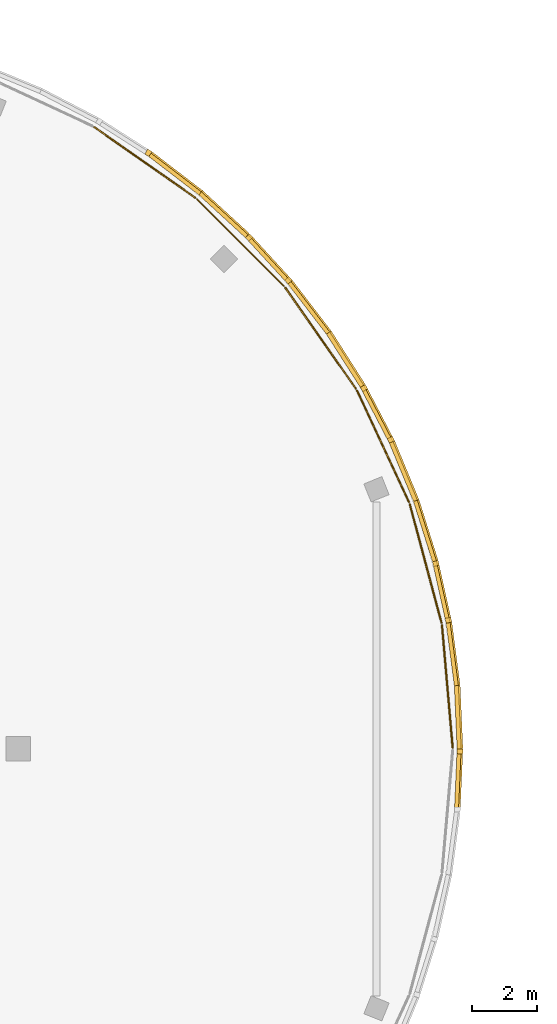
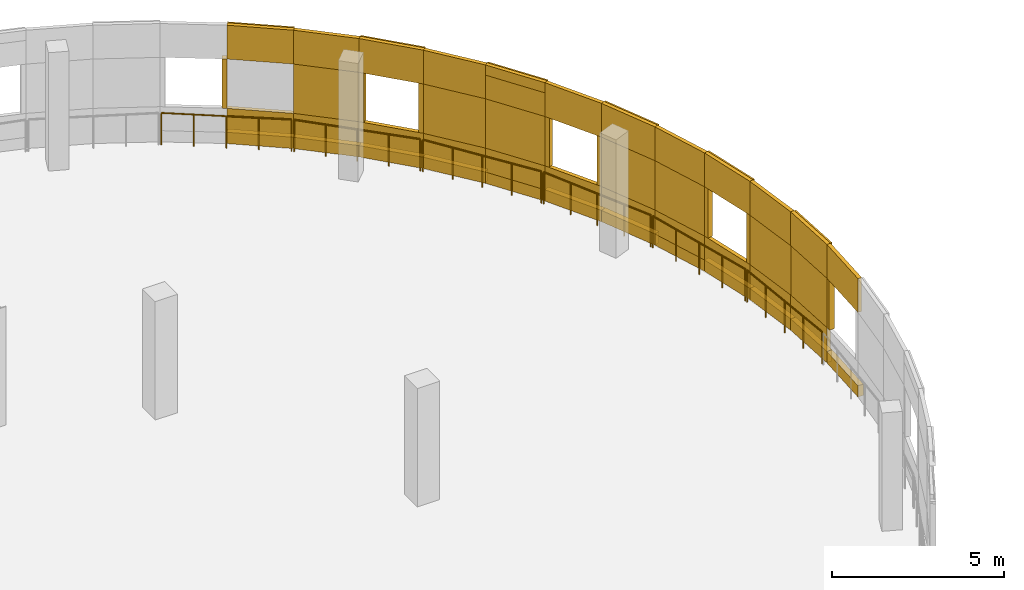
# One storey, part 87 of 88: 56 coverings, 6 railings.
"""IFC4 building model written with IfcOpenShell, lengths in metres."""

from ifc_helpers import new_model, si_unit, direction, frame, origin, origin_2d, place, context, subcontext, project, spatial, rectangle, circle, extrude, material, layer, layer_set, type_object, element, save


model = new_model("IFC4")

# Units and contexts
model_context = context("Model", 3, precision=1e-05, world=origin(), true_north=direction((0.0, 1.0)))
body_context = subcontext(model_context, "Body", "Model", "MODEL_VIEW")
ifc_project = project(units=[si_unit("LENGTHUNIT", "METRE"), si_unit("AREAUNIT", "SQUARE_METRE"), si_unit("VOLUMEUNIT", "CUBIC_METRE"), si_unit("PLANEANGLEUNIT", "RADIAN"), si_unit("MASSUNIT", "GRAM", prefix="KILO")], contexts=[model_context])

# Site, building, storey
site_placement = place(None, origin())
site = spatial("IfcSite", under=ifc_project, at=site_placement, CompositionType="ELEMENT")
building_placement = place(site_placement, origin())
building = spatial("IfcBuilding", under=site, at=building_placement, Name="Deido Ridge Mobility Hub", CompositionType="ELEMENT")
storey_placement = place(building_placement, frame((0.0, 0.0, 16.800048828125)))
storey = spatial("IfcBuildingStorey", under=building, at=storey_placement, Name="L04", CompositionType="ELEMENT", Elevation=16.800048828125)

# Coverings
ifc_material_1 = material(Name="Fired clay brick masonry", Category="masonry")
ifc_layer = layer(ifc_material_1, 0.114990234375, Name="Fired clay brick masonry")
ifc_layer_set = layer_set([ifc_layer], Name="Fired clay brick masonry")
covering_type = type_object("IfcCoveringType", Name="COV-BRK-SCREEN-115", PredefinedType="CLADDING", material=ifc_layer_set)
covering_1_placement = place(storey_placement, frame((139.432373046875, 102.5205078125, 0.0), z_axis=(0.0, 0.0, 1.0), x_axis=(0.043601950678, 0.999048982732, 0.0)))
element("IfcCovering", 1, at=covering_1_placement, inside=storey, type_object=covering_type, Name="Raised brick relief belt BKS1 (L04)", PredefinedType="CLADDING", context=body_context, shape_type="SweptSolid", body=[
    extrude(rectangle(XDim=1.9619140625, YDim=0.179931640625, at=origin_2d()), origin(), (0.0, 0.0, 1.0), 0.39990234375),
])
covering_2_placement = place(storey_placement, frame((139.40478515625, 102.521728515625, 3.0), z_axis=(0.0, 0.0, 1.0), x_axis=(0.043601950678, 0.999048982732, 0.0)))
element("IfcCovering", 2, at=covering_2_placement, inside=storey, type_object=covering_type, Name="Open brickwork lintel course BKS1 (L04)", PredefinedType="CLADDING", context=body_context, shape_type="SweptSolid", body=[
    extrude(rectangle(XDim=1.9619140625, YDim=0.125, at=origin_2d()), origin(), (0.0, 0.0, 1.0), 1.199951171875),
])
covering_3_placement = place(storey_placement, frame((139.4716796875, 103.4208984375, 1.25), z_axis=(0.0, 0.0, 1.0), x_axis=(0.043601950678, 0.999048982732, 0.0)))
element("IfcCovering", 3, at=covering_3_placement, inside=storey, type_object=covering_type, Name="Curved brick jamb nib BKS1 (L04)", PredefinedType="CLADDING", context=body_context, shape_type="SweptSolid", body=[
    extrude(rectangle(XDim=0.152099609375, YDim=0.179931640625, at=origin_2d()), origin(), (0.0, 0.0, 1.0), 1.75),
])
covering_4_placement = place(storey_placement, frame((139.40478515625, 104.478271484375, 0.0), z_axis=(0.0, 0.0, 1.0), x_axis=(-0.043601950678, 0.999048982732, 0.0)))
element("IfcCovering", 4, at=covering_4_placement, inside=storey, type_object=covering_type, Name="Open brickwork spandrel course BKS1 (L04)", PredefinedType="CLADDING", context=body_context, shape_type="SweptSolid", body=[
    extrude(rectangle(XDim=1.9619140625, YDim=0.125, at=origin_2d()), origin(), (0.0, 0.0, 1.0), 1.25),
])
covering_5_placement = place(storey_placement, frame((139.432373046875, 104.4794921875, 0.0), z_axis=(0.0, 0.0, 1.0), x_axis=(-0.043601950678, 0.999048982732, 0.0)))
element("IfcCovering", 5, at=covering_5_placement, inside=storey, type_object=covering_type, Name="Raised brick relief belt BKS1 (L04)", PredefinedType="CLADDING", context=body_context, shape_type="SweptSolid", body=[
    extrude(rectangle(XDim=1.9619140625, YDim=0.179931640625, at=origin_2d()), origin(), (0.0, 0.0, 1.0), 0.39990234375),
])
covering_6_placement = place(storey_placement, frame((139.40478515625, 104.478271484375, 3.0), z_axis=(0.0, 0.0, 1.0), x_axis=(-0.043601950678, 0.999048982732, 0.0)))
element("IfcCovering", 6, at=covering_6_placement, inside=storey, type_object=covering_type, Name="Open brickwork lintel course BKS1 (L04)", PredefinedType="CLADDING", context=body_context, shape_type="SweptSolid", body=[
    extrude(rectangle(XDim=1.9619140625, YDim=0.125, at=origin_2d()), origin(), (0.0, 0.0, 1.0), 1.199951171875),
])
covering_7_placement = place(storey_placement, frame((139.432373046875, 104.4794921875, 3.83984375), z_axis=(0.0, 0.0, 1.0), x_axis=(-0.043601950678, 0.999048982732, 0.0)))
element("IfcCovering", 7, at=covering_7_placement, inside=storey, type_object=covering_type, Name="Raised brick relief cornice BKS1 (L04)", PredefinedType="CLADDING", context=body_context, shape_type="SweptSolid", body=[
    extrude(rectangle(XDim=1.9619140625, YDim=0.179931640625, at=origin_2d()), origin(), (0.0, 0.0, 1.0), 0.360107421875),
])
covering_8_placement = place(storey_placement, frame((139.432373046875, 104.4794921875, 1.25), z_axis=(0.0, 0.0, 1.0), x_axis=(-0.043601950678, 0.999048982732, 0.0)))
element("IfcCovering", 8, at=covering_8_placement, inside=storey, type_object=covering_type, Name="Curved raised brickwork pier BKS1 (L04)", PredefinedType="CLADDING", context=body_context, shape_type="SweptSolid", body=[
    extrude(rectangle(XDim=1.9619140625, YDim=0.179931640625, at=origin_2d()), origin(), (0.0, 0.0, 1.0), 1.75),
])
covering_9_placement = place(storey_placement, frame((139.234375, 106.42724609375, 0.0), z_axis=(0.0, 0.0, 1.0), x_axis=(-0.130543496177, 0.991442583111, 0.0)))
element("IfcCovering", 9, at=covering_9_placement, inside=storey, type_object=covering_type, Name="Open brickwork spandrel course BKS1 (L04)", PredefinedType="CLADDING", context=body_context, shape_type="SweptSolid", body=[
    extrude(rectangle(XDim=1.9619140625, YDim=0.125, at=origin_2d()), origin(), (0.0, 0.0, 1.0), 1.25),
])
covering_10_placement = place(storey_placement, frame((139.26171875, 106.430908203125, 0.0), z_axis=(0.0, 0.0, 1.0), x_axis=(-0.130543496177, 0.991442583111, 0.0)))
element("IfcCovering", 10, at=covering_10_placement, inside=storey, type_object=covering_type, Name="Raised brick relief belt BKS1 (L04)", PredefinedType="CLADDING", context=body_context, shape_type="SweptSolid", body=[
    extrude(rectangle(XDim=1.9619140625, YDim=0.179931640625, at=origin_2d()), origin(), (0.0, 0.0, 1.0), 0.39990234375),
])
covering_11_placement = place(storey_placement, frame((139.234375, 106.42724609375, 3.0), z_axis=(0.0, 0.0, 1.0), x_axis=(-0.130543496177, 0.991442583111, 0.0)))
element("IfcCovering", 11, at=covering_11_placement, inside=storey, type_object=covering_type, Name="Open brickwork lintel course BKS1 (L04)", PredefinedType="CLADDING", context=body_context, shape_type="SweptSolid", body=[
    extrude(rectangle(XDim=1.9619140625, YDim=0.125, at=origin_2d()), origin(), (0.0, 0.0, 1.0), 1.199951171875),
])
covering_12_placement = place(storey_placement, frame((139.234375, 106.42724609375, 1.25), z_axis=(0.0, 0.0, 1.0), x_axis=(-0.130543496177, 0.991442583111, 0.0)))
element("IfcCovering", 12, at=covering_12_placement, inside=storey, type_object=covering_type, Name="Curved raised brickwork pier BKS1 (L04)", PredefinedType="CLADDING", context=body_context, shape_type="SweptSolid", body=[
    extrude(rectangle(XDim=1.9619140625, YDim=0.125, at=origin_2d()), origin(), (0.0, 0.0, 1.0), 1.75),
])
covering_13_placement = place(storey_placement, frame((138.89453125, 108.35400390625, 0.0), z_axis=(0.0, 0.0, 1.0), x_axis=(-0.216456653485, 0.976292229387, 0.0)))
element("IfcCovering", 13, at=covering_13_placement, inside=storey, type_object=covering_type, Name="Open brickwork spandrel course BKS1 (L04)", PredefinedType="CLADDING", context=body_context, shape_type="SweptSolid", body=[
    extrude(rectangle(XDim=1.9619140625, YDim=0.125, at=origin_2d()), origin(), (0.0, 0.0, 1.0), 1.25),
])
covering_14_placement = place(storey_placement, frame((138.92138671875, 108.35986328125, 0.0), z_axis=(0.0, 0.0, 1.0), x_axis=(-0.216456653485, 0.976292229387, 0.0)))
element("IfcCovering", 14, at=covering_14_placement, inside=storey, type_object=covering_type, Name="Raised brick relief belt BKS1 (L04)", PredefinedType="CLADDING", context=body_context, shape_type="SweptSolid", body=[
    extrude(rectangle(XDim=1.9619140625, YDim=0.179931640625, at=origin_2d()), origin(), (0.0, 0.0, 1.0), 0.39990234375),
])
covering_15_placement = place(storey_placement, frame((138.89453125, 108.35400390625, 3.0), z_axis=(0.0, 0.0, 1.0), x_axis=(-0.216456653485, 0.976292229387, 0.0)))
element("IfcCovering", 15, at=covering_15_placement, inside=storey, type_object=covering_type, Name="Open brickwork lintel course BKS1 (L04)", PredefinedType="CLADDING", context=body_context, shape_type="SweptSolid", body=[
    extrude(rectangle(XDim=1.9619140625, YDim=0.125, at=origin_2d()), origin(), (0.0, 0.0, 1.0), 1.199951171875),
])
covering_16_placement = place(storey_placement, frame((138.92138671875, 108.35986328125, 3.83984375), z_axis=(0.0, 0.0, 1.0), x_axis=(-0.216456653485, 0.976292229387, 0.0)))
element("IfcCovering", 16, at=covering_16_placement, inside=storey, type_object=covering_type, Name="Raised brick relief cornice BKS1 (L04)", PredefinedType="CLADDING", context=body_context, shape_type="SweptSolid", body=[
    extrude(rectangle(XDim=1.9619140625, YDim=0.179931640625, at=origin_2d()), origin(), (0.0, 0.0, 1.0), 0.360107421875),
])
for number, where, z_axis, x_axis, name in (
    (17, (139.116455078125, 107.480224609375, 1.25), (0.0, 0.0, 1.0), (-0.216456653485, 0.976292229387, 0.0), "Curved brick jamb nib BKS1 (L04)"),
    (18, (138.726318359375, 109.239501953125, 1.25), (0.0, 0.0, 1.0), (-0.216456653485, 0.976292229387, 0.0), "Curved brick jamb nib BKS1 (L04)"),
):
    element("IfcCovering", number, at=place(storey_placement, frame(where, z_axis=z_axis, x_axis=x_axis)), inside=storey, type_object=covering_type, Name=name, PredefinedType="CLADDING", context=body_context, shape_type="SweptSolid", body=[
        extrude(rectangle(XDim=0.152099609375, YDim=0.179931640625, at=origin_2d()), origin(), (0.0, 0.0, 1.0), 1.75),
    ])
covering_17_placement = place(storey_placement, frame((138.38818359375, 110.24365234375, 0.0), z_axis=(0.0, 0.0, 1.0), x_axis=(-0.300672508319, 0.95372744678, 0.0)))
element("IfcCovering", 19, at=covering_17_placement, inside=storey, type_object=covering_type, Name="Open brickwork spandrel course BKS1 (L04)", PredefinedType="CLADDING", context=body_context, shape_type="SweptSolid", body=[
    extrude(rectangle(XDim=1.9619140625, YDim=0.125, at=origin_2d()), origin(), (0.0, 0.0, 1.0), 1.25),
])
covering_18_placement = place(storey_placement, frame((138.414306640625, 110.251953125, 0.0), z_axis=(0.0, 0.0, 1.0), x_axis=(-0.300672508319, 0.95372744678, 0.0)))
element("IfcCovering", 20, at=covering_18_placement, inside=storey, type_object=covering_type, Name="Raised brick relief belt BKS1 (L04)", PredefinedType="CLADDING", context=body_context, shape_type="SweptSolid", body=[
    extrude(rectangle(XDim=1.9619140625, YDim=0.179931640625, at=origin_2d()), origin(), (0.0, 0.0, 1.0), 0.39990234375),
])
covering_19_placement = place(storey_placement, frame((138.38818359375, 110.24365234375, 3.0), z_axis=(0.0, 0.0, 1.0), x_axis=(-0.300672508319, 0.95372744678, 0.0)))
element("IfcCovering", 21, at=covering_19_placement, inside=storey, type_object=covering_type, Name="Open brickwork lintel course BKS1 (L04)", PredefinedType="CLADDING", context=body_context, shape_type="SweptSolid", body=[
    extrude(rectangle(XDim=1.9619140625, YDim=0.125, at=origin_2d()), origin(), (0.0, 0.0, 1.0), 1.199951171875),
])
covering_20_placement = place(storey_placement, frame((138.38818359375, 110.24365234375, 1.25), z_axis=(0.0, 0.0, 1.0), x_axis=(-0.300672508319, 0.95372744678, 0.0)))
element("IfcCovering", 22, at=covering_20_placement, inside=storey, type_object=covering_type, Name="Curved raised brickwork pier BKS1 (L04)", PredefinedType="CLADDING", context=body_context, shape_type="SweptSolid", body=[
    extrude(rectangle(XDim=1.9619140625, YDim=0.125, at=origin_2d()), origin(), (0.0, 0.0, 1.0), 1.75),
])
covering_21_placement = place(storey_placement, frame((137.718994140625, 112.08203125, 0.0), z_axis=(0.0, 0.0, 1.0), x_axis=(-0.382699557047, 0.923872853285, 0.0)))
element("IfcCovering", 23, at=covering_21_placement, inside=storey, type_object=covering_type, Name="Open brickwork spandrel course BKS1 (L04)", PredefinedType="CLADDING", context=body_context, shape_type="SweptSolid", body=[
    extrude(rectangle(XDim=1.9619140625, YDim=0.125, at=origin_2d()), origin(), (0.0, 0.0, 1.0), 1.25),
])
covering_22_placement = place(storey_placement, frame((137.744384765625, 112.0927734375, 0.0), z_axis=(0.0, 0.0, 1.0), x_axis=(-0.382699557047, 0.923872853285, 0.0)))
element("IfcCovering", 24, at=covering_22_placement, inside=storey, type_object=covering_type, Name="Raised brick relief belt BKS1 (L04)", PredefinedType="CLADDING", context=body_context, shape_type="SweptSolid", body=[
    extrude(rectangle(XDim=1.9619140625, YDim=0.179931640625, at=origin_2d()), origin(), (0.0, 0.0, 1.0), 0.39990234375),
])
covering_23_placement = place(storey_placement, frame((137.718994140625, 112.08203125, 3.0), z_axis=(0.0, 0.0, 1.0), x_axis=(-0.382699557047, 0.923872853285, 0.0)))
element("IfcCovering", 25, at=covering_23_placement, inside=storey, type_object=covering_type, Name="Open brickwork lintel course BKS1 (L04)", PredefinedType="CLADDING", context=body_context, shape_type="SweptSolid", body=[
    extrude(rectangle(XDim=1.9619140625, YDim=0.125, at=origin_2d()), origin(), (0.0, 0.0, 1.0), 1.199951171875),
])
covering_24_placement = place(storey_placement, frame((137.744384765625, 112.0927734375, 3.83984375), z_axis=(0.0, 0.0, 1.0), x_axis=(-0.382699557047, 0.923872853285, 0.0)))
element("IfcCovering", 26, at=covering_24_placement, inside=storey, type_object=covering_type, Name="Raised brick relief cornice BKS1 (L04)", PredefinedType="CLADDING", context=body_context, shape_type="SweptSolid", body=[
    extrude(rectangle(XDim=1.9619140625, YDim=0.179931640625, at=origin_2d()), origin(), (0.0, 0.0, 1.0), 0.360107421875),
])
covering_25_placement = place(storey_placement, frame((137.744384765625, 112.0927734375, 1.25), z_axis=(0.0, 0.0, 1.0), x_axis=(-0.382699557047, 0.923872853285, 0.0)))
element("IfcCovering", 27, at=covering_25_placement, inside=storey, type_object=covering_type, Name="Curved raised brickwork pier BKS1 (L04)", PredefinedType="CLADDING", context=body_context, shape_type="SweptSolid", body=[
    extrude(rectangle(XDim=1.9619140625, YDim=0.179931640625, at=origin_2d()), origin(), (0.0, 0.0, 1.0), 1.75),
])
covering_26_placement = place(storey_placement, frame((136.892333984375, 113.855224609375, 0.0), z_axis=(0.0, 0.0, 1.0), x_axis=(-0.461733131905, 0.887018892077, 0.0)))
element("IfcCovering", 28, at=covering_26_placement, inside=storey, type_object=covering_type, Name="Open brickwork spandrel course BKS1 (L04)", PredefinedType="CLADDING", context=body_context, shape_type="SweptSolid", body=[
    extrude(rectangle(XDim=1.9619140625, YDim=0.125, at=origin_2d()), origin(), (0.0, 0.0, 1.0), 1.25),
])
covering_27_placement = place(storey_placement, frame((136.916748046875, 113.867919921875, 0.0), z_axis=(0.0, 0.0, 1.0), x_axis=(-0.461733131905, 0.887018892077, 0.0)))
element("IfcCovering", 29, at=covering_27_placement, inside=storey, type_object=covering_type, Name="Raised brick relief belt BKS1 (L04)", PredefinedType="CLADDING", context=body_context, shape_type="SweptSolid", body=[
    extrude(rectangle(XDim=1.9619140625, YDim=0.179931640625, at=origin_2d()), origin(), (0.0, 0.0, 1.0), 0.39990234375),
])
covering_28_placement = place(storey_placement, frame((136.892333984375, 113.855224609375, 3.0), z_axis=(0.0, 0.0, 1.0), x_axis=(-0.461733131905, 0.887018892077, 0.0)))
element("IfcCovering", 30, at=covering_28_placement, inside=storey, type_object=covering_type, Name="Open brickwork lintel course BKS1 (L04)", PredefinedType="CLADDING", context=body_context, shape_type="SweptSolid", body=[
    extrude(rectangle(XDim=1.9619140625, YDim=0.125, at=origin_2d()), origin(), (0.0, 0.0, 1.0), 1.199951171875),
])
for number, where, z_axis, x_axis, name in (
    (31, (137.332763671875, 113.068603515625, 1.25), (0.0, 0.0, 1.0), (-0.461733131905, 0.887018892077, 0.0), "Curved brick jamb nib BKS1 (L04)"),
    (32, (136.50048828125, 114.667236328125, 1.25), (0.0, 0.0, 1.0), (-0.461733131905, 0.887018892077, 0.0), "Curved brick jamb nib BKS1 (L04)"),
):
    element("IfcCovering", number, at=place(storey_placement, frame(where, z_axis=z_axis, x_axis=x_axis)), inside=storey, type_object=covering_type, Name=name, PredefinedType="CLADDING", context=body_context, shape_type="SweptSolid", body=[
        extrude(rectangle(XDim=0.152099609375, YDim=0.179931640625, at=origin_2d()), origin(), (0.0, 0.0, 1.0), 1.75),
    ])
covering_29_placement = place(storey_placement, frame((135.9140625, 115.549560546875, 0.0), z_axis=(0.0, 0.0, 1.0), x_axis=(-0.537314328223, 0.843382068037, 0.0)))
element("IfcCovering", 33, at=covering_29_placement, inside=storey, type_object=covering_type, Name="Open brickwork spandrel course BKS1 (L04)", PredefinedType="CLADDING", context=body_context, shape_type="SweptSolid", body=[
    extrude(rectangle(XDim=1.9619140625, YDim=0.125, at=origin_2d()), origin(), (0.0, 0.0, 1.0), 1.25),
])
covering_30_placement = place(storey_placement, frame((135.937255859375, 115.564208984375, 0.0), z_axis=(0.0, 0.0, 1.0), x_axis=(-0.537314328223, 0.843382068037, 0.0)))
element("IfcCovering", 34, at=covering_30_placement, inside=storey, type_object=covering_type, Name="Raised brick relief belt BKS1 (L04)", PredefinedType="CLADDING", context=body_context, shape_type="SweptSolid", body=[
    extrude(rectangle(XDim=1.9619140625, YDim=0.179931640625, at=origin_2d()), origin(), (0.0, 0.0, 1.0), 0.39990234375),
])
covering_31_placement = place(storey_placement, frame((135.9140625, 115.549560546875, 3.0), z_axis=(0.0, 0.0, 1.0), x_axis=(-0.537314328223, 0.843382068037, 0.0)))
element("IfcCovering", 35, at=covering_31_placement, inside=storey, type_object=covering_type, Name="Open brickwork lintel course BKS1 (L04)", PredefinedType="CLADDING", context=body_context, shape_type="SweptSolid", body=[
    extrude(rectangle(XDim=1.9619140625, YDim=0.125, at=origin_2d()), origin(), (0.0, 0.0, 1.0), 1.199951171875),
])
covering_32_placement = place(storey_placement, frame((135.937255859375, 115.564208984375, 3.83984375), z_axis=(0.0, 0.0, 1.0), x_axis=(-0.537314328223, 0.843382068037, 0.0)))
element("IfcCovering", 36, at=covering_32_placement, inside=storey, type_object=covering_type, Name="Raised brick relief cornice BKS1 (L04)", PredefinedType="CLADDING", context=body_context, shape_type="SweptSolid", body=[
    extrude(rectangle(XDim=1.9619140625, YDim=0.179931640625, at=origin_2d()), origin(), (0.0, 0.0, 1.0), 0.360107421875),
])
covering_33_placement = place(storey_placement, frame((135.937255859375, 115.564208984375, 1.25), z_axis=(0.0, 0.0, 1.0), x_axis=(-0.537314328223, 0.843382068037, 0.0)))
element("IfcCovering", 37, at=covering_33_placement, inside=storey, type_object=covering_type, Name="Curved raised brickwork pier BKS1 (L04)", PredefinedType="CLADDING", context=body_context, shape_type="SweptSolid", body=[
    extrude(rectangle(XDim=1.9619140625, YDim=0.179931640625, at=origin_2d()), origin(), (0.0, 0.0, 1.0), 1.75),
])
covering_34_placement = place(storey_placement, frame((134.7919921875, 117.152099609375, 0.0), z_axis=(0.0, 0.0, 1.0), x_axis=(-0.608761429009, 0.793353340291, 0.0)))
element("IfcCovering", 38, at=covering_34_placement, inside=storey, type_object=covering_type, Name="Open brickwork spandrel course BKS1 (L04)", PredefinedType="CLADDING", context=body_context, shape_type="SweptSolid", body=[
    extrude(rectangle(XDim=1.9619140625, YDim=0.125, at=origin_2d()), origin(), (0.0, 0.0, 1.0), 1.25),
])
covering_35_placement = place(storey_placement, frame((134.813720703125, 117.1689453125, 0.0), z_axis=(0.0, 0.0, 1.0), x_axis=(-0.608761429009, 0.793353340291, 0.0)))
element("IfcCovering", 39, at=covering_35_placement, inside=storey, type_object=covering_type, Name="Raised brick relief belt BKS1 (L04)", PredefinedType="CLADDING", context=body_context, shape_type="SweptSolid", body=[
    extrude(rectangle(XDim=1.9619140625, YDim=0.179931640625, at=origin_2d()), origin(), (0.0, 0.0, 1.0), 0.39990234375),
])
covering_36_placement = place(storey_placement, frame((134.7919921875, 117.152099609375, 3.0), z_axis=(0.0, 0.0, 1.0), x_axis=(-0.608761429009, 0.793353340291, 0.0)))
element("IfcCovering", 40, at=covering_36_placement, inside=storey, type_object=covering_type, Name="Open brickwork lintel course BKS1 (L04)", PredefinedType="CLADDING", context=body_context, shape_type="SweptSolid", body=[
    extrude(rectangle(XDim=1.9619140625, YDim=0.125, at=origin_2d()), origin(), (0.0, 0.0, 1.0), 1.199951171875),
])
covering_37_placement = place(storey_placement, frame((134.7919921875, 117.152099609375, 1.25), z_axis=(0.0, 0.0, 1.0), x_axis=(-0.608761429009, 0.793353340291, 0.0)))
element("IfcCovering", 41, at=covering_37_placement, inside=storey, type_object=covering_type, Name="Curved raised brickwork pier BKS1 (L04)", PredefinedType="CLADDING", context=body_context, shape_type="SweptSolid", body=[
    extrude(rectangle(XDim=1.9619140625, YDim=0.125, at=origin_2d()), origin(), (0.0, 0.0, 1.0), 1.75),
])
covering_38_placement = place(storey_placement, frame((133.5341796875, 118.65087890625, 0.0), z_axis=(0.0, 0.0, 1.0), x_axis=(-0.675577339596, 0.737289127971, 0.0)))
element("IfcCovering", 42, at=covering_38_placement, inside=storey, type_object=covering_type, Name="Open brickwork spandrel course BKS1 (L04)", PredefinedType="CLADDING", context=body_context, shape_type="SweptSolid", body=[
    extrude(rectangle(XDim=1.9619140625, YDim=0.125, at=origin_2d()), origin(), (0.0, 0.0, 1.0), 1.25),
])
covering_39_placement = place(storey_placement, frame((133.5546875, 118.66943359375, 0.0), z_axis=(0.0, 0.0, 1.0), x_axis=(-0.675577339596, 0.737289127971, 0.0)))
element("IfcCovering", 43, at=covering_39_placement, inside=storey, type_object=covering_type, Name="Raised brick relief belt BKS1 (L04)", PredefinedType="CLADDING", context=body_context, shape_type="SweptSolid", body=[
    extrude(rectangle(XDim=1.9619140625, YDim=0.179931640625, at=origin_2d()), origin(), (0.0, 0.0, 1.0), 0.39990234375),
])
covering_40_placement = place(storey_placement, frame((133.5341796875, 118.65087890625, 3.0), z_axis=(0.0, 0.0, 1.0), x_axis=(-0.675577339596, 0.737289127971, 0.0)))
element("IfcCovering", 44, at=covering_40_placement, inside=storey, type_object=covering_type, Name="Open brickwork lintel course BKS1 (L04)", PredefinedType="CLADDING", context=body_context, shape_type="SweptSolid", body=[
    extrude(rectangle(XDim=1.9619140625, YDim=0.125, at=origin_2d()), origin(), (0.0, 0.0, 1.0), 1.199951171875),
])
covering_41_placement = place(storey_placement, frame((133.5546875, 118.66943359375, 3.83984375), z_axis=(0.0, 0.0, 1.0), x_axis=(-0.675577339596, 0.737289127971, 0.0)))
element("IfcCovering", 45, at=covering_41_placement, inside=storey, type_object=covering_type, Name="Raised brick relief cornice BKS1 (L04)", PredefinedType="CLADDING", context=body_context, shape_type="SweptSolid", body=[
    extrude(rectangle(XDim=1.9619140625, YDim=0.179931640625, at=origin_2d()), origin(), (0.0, 0.0, 1.0), 0.360107421875),
])
for number, where, z_axis, x_axis, name in (
    (46, (134.163330078125, 118.005126953125, 1.25), (0.0, 0.0, 1.0), (-0.675577339596, 0.737289127971, 0.0), "Curved brick jamb nib BKS1 (L04)"),
    (47, (132.94580078125, 119.333740234375, 1.25), (0.0, 0.0, 1.0), (-0.675577339596, 0.737289127971, 0.0), "Curved brick jamb nib BKS1 (L04)"),
):
    element("IfcCovering", number, at=place(storey_placement, frame(where, z_axis=z_axis, x_axis=x_axis)), inside=storey, type_object=covering_type, Name=name, PredefinedType="CLADDING", context=body_context, shape_type="SweptSolid", body=[
        extrude(rectangle(XDim=0.152099609375, YDim=0.179931640625, at=origin_2d()), origin(), (0.0, 0.0, 1.0), 1.75),
    ])
covering_42_placement = place(storey_placement, frame((132.15087890625, 120.0341796875, 0.0), z_axis=(0.0, 0.0, 1.0), x_axis=(-0.737289127971, 0.675577339596, 0.0)))
element("IfcCovering", 48, at=covering_42_placement, inside=storey, type_object=covering_type, Name="Open brickwork spandrel course BKS1 (L04)", PredefinedType="CLADDING", context=body_context, shape_type="SweptSolid", body=[
    extrude(rectangle(XDim=1.9619140625, YDim=0.125, at=origin_2d()), origin(), (0.0, 0.0, 1.0), 1.25),
])
covering_43_placement = place(storey_placement, frame((132.16943359375, 120.0546875, 0.0), z_axis=(0.0, 0.0, 1.0), x_axis=(-0.737289127971, 0.675577339596, 0.0)))
element("IfcCovering", 49, at=covering_43_placement, inside=storey, type_object=covering_type, Name="Raised brick relief belt BKS1 (L04)", PredefinedType="CLADDING", context=body_context, shape_type="SweptSolid", body=[
    extrude(rectangle(XDim=1.9619140625, YDim=0.179931640625, at=origin_2d()), origin(), (0.0, 0.0, 1.0), 0.39990234375),
])
covering_44_placement = place(storey_placement, frame((132.15087890625, 120.0341796875, 3.0), z_axis=(0.0, 0.0, 1.0), x_axis=(-0.737289127971, 0.675577339596, 0.0)))
element("IfcCovering", 50, at=covering_44_placement, inside=storey, type_object=covering_type, Name="Open brickwork lintel course BKS1 (L04)", PredefinedType="CLADDING", context=body_context, shape_type="SweptSolid", body=[
    extrude(rectangle(XDim=1.9619140625, YDim=0.125, at=origin_2d()), origin(), (0.0, 0.0, 1.0), 1.199951171875),
])
covering_45_placement = place(storey_placement, frame((132.15087890625, 120.0341796875, 1.25), z_axis=(0.0, 0.0, 1.0), x_axis=(-0.737289127971, 0.675577339596, 0.0)))
element("IfcCovering", 51, at=covering_45_placement, inside=storey, type_object=covering_type, Name="Curved raised brickwork pier BKS1 (L04)", PredefinedType="CLADDING", context=body_context, shape_type="SweptSolid", body=[
    extrude(rectangle(XDim=1.9619140625, YDim=0.125, at=origin_2d()), origin(), (0.0, 0.0, 1.0), 1.75),
])
covering_46_placement = place(storey_placement, frame((130.652099609375, 121.2919921875, 0.0), z_axis=(0.0, 0.0, 1.0), x_axis=(-0.793353340291, 0.608761429009, 0.0)))
element("IfcCovering", 52, at=covering_46_placement, inside=storey, type_object=covering_type, Name="Open brickwork spandrel course BKS1 (L04)", PredefinedType="CLADDING", context=body_context, shape_type="SweptSolid", body=[
    extrude(rectangle(XDim=1.9619140625, YDim=0.125, at=origin_2d()), origin(), (0.0, 0.0, 1.0), 1.25),
])
covering_47_placement = place(storey_placement, frame((130.6689453125, 121.313720703125, 0.0), z_axis=(0.0, 0.0, 1.0), x_axis=(-0.793353340291, 0.608761429009, 0.0)))
element("IfcCovering", 53, at=covering_47_placement, inside=storey, type_object=covering_type, Name="Raised brick relief belt BKS1 (L04)", PredefinedType="CLADDING", context=body_context, shape_type="SweptSolid", body=[
    extrude(rectangle(XDim=1.9619140625, YDim=0.179931640625, at=origin_2d()), origin(), (0.0, 0.0, 1.0), 0.39990234375),
])
covering_48_placement = place(storey_placement, frame((130.652099609375, 121.2919921875, 3.0), z_axis=(0.0, 0.0, 1.0), x_axis=(-0.793353340291, 0.608761429009, 0.0)))
element("IfcCovering", 54, at=covering_48_placement, inside=storey, type_object=covering_type, Name="Open brickwork lintel course BKS1 (L04)", PredefinedType="CLADDING", context=body_context, shape_type="SweptSolid", body=[
    extrude(rectangle(XDim=1.9619140625, YDim=0.125, at=origin_2d()), origin(), (0.0, 0.0, 1.0), 1.199951171875),
])
covering_49_placement = place(storey_placement, frame((130.6689453125, 121.313720703125, 3.83984375), z_axis=(0.0, 0.0, 1.0), x_axis=(-0.793353340291, 0.608761429009, 0.0)))
element("IfcCovering", 55, at=covering_49_placement, inside=storey, type_object=covering_type, Name="Raised brick relief cornice BKS1 (L04)", PredefinedType="CLADDING", context=body_context, shape_type="SweptSolid", body=[
    extrude(rectangle(XDim=1.9619140625, YDim=0.179931640625, at=origin_2d()), origin(), (0.0, 0.0, 1.0), 0.360107421875),
])
covering_50_placement = place(storey_placement, frame((129.82421875, 121.953125, 1.25), z_axis=(0.0, 0.0, 1.0), x_axis=(-0.843382068037, 0.537314328223, 0.0)))
element("IfcCovering", 56, at=covering_50_placement, inside=storey, type_object=covering_type, Name="Curved brick jamb nib BKS1 (L04)", PredefinedType="CLADDING", context=body_context, shape_type="SweptSolid", body=[
    extrude(rectangle(XDim=0.152099609375, YDim=0.179931640625, at=origin_2d()), origin(), (0.0, 0.0, 1.0), 1.75),
])

# Railings
ifc_material_2 = material(Name="Galvanised steel work", Category="steel")
railing_type = type_object("IfcRailingType", Name="RL-GRD-EXT-1150", PredefinedType="GUARDRAIL", material=ifc_material_2)
railing_1_placement = place(storey_placement, frame((139.24658203125, 103.539794921875, 0.0)))
element("IfcRailing", 57, at=railing_1_placement, inside=storey, type_object=railing_type, Name="Parking drum perimeter guard (L04)", PredefinedType="GUARDRAIL", context=body_context, shape_type="SweptSolid", body=[
    extrude(circle(Radius=0.02392578125, at=origin_2d()), frame((0.0, 0.0, 1.1259765625), z_axis=(-0.08715100469, 0.996195112607, 0.0), x_axis=(-0.996195112607, -0.08715100469, 0.0)), (0.0, 0.0, 1.0), 3.798583984375),
    extrude(circle(Radius=0.02099609375, at=origin_2d()), origin(), (0.0, 0.0, 1.0), 1.101806640625),
    extrude(circle(Radius=0.02099609375, at=origin_2d()), frame((-0.082763671875, 0.946044921875, 0.0)), (0.0, 0.0, 1.0), 1.101806640625),
    extrude(circle(Radius=0.02099609375, at=origin_2d()), frame((-0.16552734375, 1.89208984375, 0.0)), (0.0, 0.0, 1.0), 1.101806640625),
    extrude(circle(Radius=0.02099609375, at=origin_2d()), frame((-0.248291015625, 2.838134765625, 0.0)), (0.0, 0.0, 1.0), 1.101806640625),
    extrude(circle(Radius=0.02099609375, at=origin_2d()), frame((-0.3310546875, 3.7841796875, 0.0)), (0.0, 0.0, 1.0), 1.101806640625),
])
railing_2_placement = place(storey_placement, frame((138.901611328125, 107.40234375, 0.0)))
element("IfcRailing", 58, at=railing_2_placement, inside=storey, type_object=railing_type, Name="Parking drum perimeter guard (L04)", PredefinedType="GUARDRAIL", context=body_context, shape_type="SweptSolid", body=[
    extrude(circle(Radius=0.02392578125, at=origin_2d()), frame((0.0, 0.0, 1.1259765625), z_axis=(-0.258774639064, 0.965937723757, 0.0), x_axis=(-0.965937723757, -0.258774639064, 0.0)), (0.0, 0.0, 1.0), 3.79833984375),
    extrude(circle(Radius=0.02099609375, at=origin_2d()), origin(), (0.0, 0.0, 1.0), 1.101806640625),
    extrude(circle(Radius=0.02099609375, at=origin_2d()), frame((-0.24560546875, 0.917236328125, 0.0)), (0.0, 0.0, 1.0), 1.101806640625),
    extrude(circle(Radius=0.02099609375, at=origin_2d()), frame((-0.491455078125, 1.83447265625, 0.0)), (0.0, 0.0, 1.0), 1.101806640625),
    extrude(circle(Radius=0.02099609375, at=origin_2d()), frame((-0.7373046875, 2.751708984375, 0.0)), (0.0, 0.0, 1.0), 1.101806640625),
    extrude(circle(Radius=0.02099609375, at=origin_2d()), frame((-0.98291015625, 3.6689453125, 0.0)), (0.0, 0.0, 1.0), 1.101806640625),
])
railing_3_placement = place(storey_placement, frame((137.891357421875, 111.146240234375, 0.0)))
element("IfcRailing", 59, at=railing_3_placement, inside=storey, type_object=railing_type, Name="Parking drum perimeter guard (L04)", PredefinedType="GUARDRAIL", context=body_context, shape_type="SweptSolid", body=[
    extrude(circle(Radius=0.02392578125, at=origin_2d()), frame((0.0, 0.0, 1.1259765625), z_axis=(-0.422674330627, 0.906281639574, 0.0), x_axis=(-0.906281639574, -0.422674330627, 0.0)), (0.0, 0.0, 1.0), 3.79833984375),
    extrude(circle(Radius=0.02099609375, at=origin_2d()), origin(), (0.0, 0.0, 1.0), 1.101806640625),
    extrude(circle(Radius=0.02099609375, at=origin_2d()), frame((-0.4013671875, 0.860595703125, 0.0)), (0.0, 0.0, 1.0), 1.101806640625),
    extrude(circle(Radius=0.02099609375, at=origin_2d()), frame((-0.802734375, 1.72119140625, 0.0)), (0.0, 0.0, 1.0), 1.101806640625),
    extrude(circle(Radius=0.02099609375, at=origin_2d()), frame((-1.2041015625, 2.581787109375, 0.0)), (0.0, 0.0, 1.0), 1.101806640625),
    extrude(circle(Radius=0.02099609375, at=origin_2d()), frame((-1.60546875, 3.4423828125, 0.0)), (0.0, 0.0, 1.0), 1.101806640625),
])
railing_4_placement = place(storey_placement, frame((136.24609375, 114.65771484375, 0.0)))
element("IfcRailing", 60, at=railing_4_placement, inside=storey, type_object=railing_type, Name="Parking drum perimeter guard (L04)", PredefinedType="GUARDRAIL", context=body_context, shape_type="SweptSolid", body=[
    extrude(circle(Radius=0.02392578125, at=origin_2d()), frame((0.0, 0.0, 1.1259765625), z_axis=(-0.573570179609, 0.819156425271, 0.0), x_axis=(-0.819156425271, -0.573570179609, 0.0)), (0.0, 0.0, 1.0), 3.798583984375),
    extrude(circle(Radius=0.02099609375, at=origin_2d()), origin(), (0.0, 0.0, 1.0), 1.101806640625),
    extrude(circle(Radius=0.02099609375, at=origin_2d()), frame((-0.544677734375, 0.77783203125, 0.0)), (0.0, 0.0, 1.0), 1.101806640625),
    extrude(circle(Radius=0.02099609375, at=origin_2d()), frame((-1.08935546875, 1.5556640625, 0.0)), (0.0, 0.0, 1.0), 1.101806640625),
    extrude(circle(Radius=0.02099609375, at=origin_2d()), frame((-1.634033203125, 2.333740234375, 0.0)), (0.0, 0.0, 1.0), 1.101806640625),
    extrude(circle(Radius=0.02099609375, at=origin_2d()), frame((-2.1787109375, 3.111572265625, 0.0)), (0.0, 0.0, 1.0), 1.101806640625),
])
railing_5_placement = place(storey_placement, frame((134.01611328125, 117.830322265625, 0.0)))
element("IfcRailing", 61, at=railing_5_placement, inside=storey, type_object=railing_type, Name="Parking drum perimeter guard (L04)", PredefinedType="GUARDRAIL", context=body_context, shape_type="SweptSolid", body=[
    extrude(circle(Radius=0.02392578125, at=origin_2d()), frame((0.0, 0.0, 1.1259765625), z_axis=(-0.707106781187, 0.707106781187, 0.0), x_axis=(-0.707106781187, -0.707106781187, 0.0)), (0.0, 0.0, 1.0), 3.79833984375),
    extrude(circle(Radius=0.02099609375, at=origin_2d()), origin(), (0.0, 0.0, 1.0), 1.101806640625),
    extrude(circle(Radius=0.02099609375, at=origin_2d()), frame((-0.67138671875, 0.67138671875, 0.0)), (0.0, 0.0, 1.0), 1.101806640625),
    extrude(circle(Radius=0.02099609375, at=origin_2d()), frame((-1.3427734375, 1.3427734375, 0.0)), (0.0, 0.0, 1.0), 1.101806640625),
    extrude(circle(Radius=0.02099609375, at=origin_2d()), frame((-2.014404296875, 2.014404296875, 0.0)), (0.0, 0.0, 1.0), 1.101806640625),
    extrude(circle(Radius=0.02099609375, at=origin_2d()), frame((-2.685791015625, 2.685791015625, 0.0)), (0.0, 0.0, 1.0), 1.101806640625),
])
railing_6_placement = place(storey_placement, frame((131.269287109375, 120.5673828125, 0.0)))
element("IfcRailing", 62, at=railing_6_placement, inside=storey, type_object=railing_type, Name="Parking drum perimeter guard (L04)", PredefinedType="GUARDRAIL", context=body_context, shape_type="SweptSolid", body=[
    extrude(circle(Radius=0.02392578125, at=origin_2d()), frame((0.0, 0.0, 1.1259765625), z_axis=(-0.819156425271, 0.573570179609, 0.0), x_axis=(-0.573570179609, -0.819156425271, 0.0)), (0.0, 0.0, 1.0), 3.798583984375),
    extrude(circle(Radius=0.02099609375, at=origin_2d()), origin(), (0.0, 0.0, 1.0), 1.101806640625),
    extrude(circle(Radius=0.02099609375, at=origin_2d()), frame((-0.77783203125, 0.544677734375, 0.0)), (0.0, 0.0, 1.0), 1.101806640625),
    extrude(circle(Radius=0.02099609375, at=origin_2d()), frame((-1.5556640625, 1.08935546875, 0.0)), (0.0, 0.0, 1.0), 1.101806640625),
    extrude(circle(Radius=0.02099609375, at=origin_2d()), frame((-2.333740234375, 1.634033203125, 0.0)), (0.0, 0.0, 1.0), 1.101806640625),
    extrude(circle(Radius=0.02099609375, at=origin_2d()), frame((-3.111572265625, 2.1787109375, 0.0)), (0.0, 0.0, 1.0), 1.101806640625),
])

save(model, "model.ifc")
